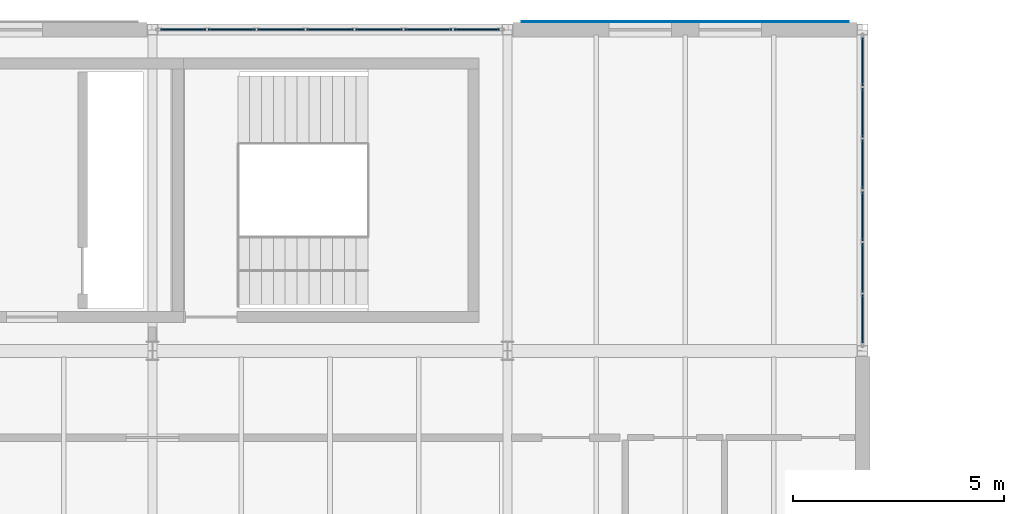
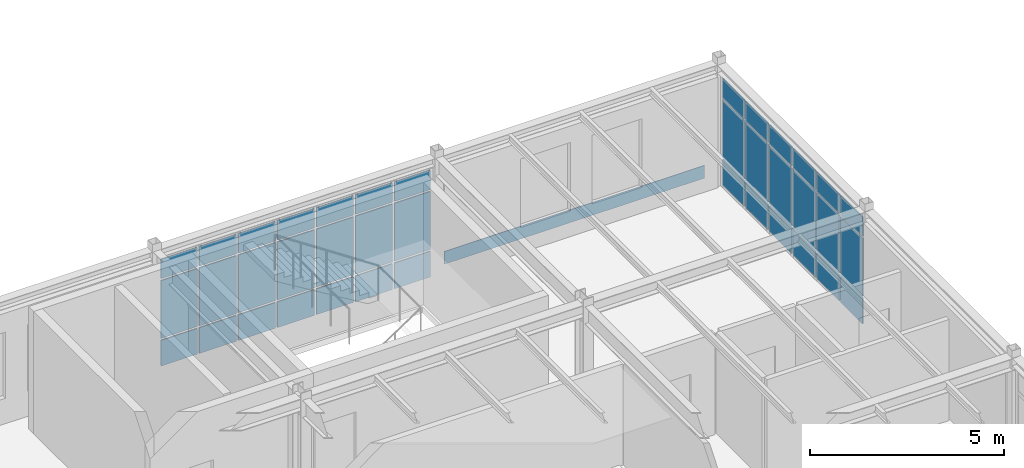
# One storey, part 149 of 189: 40 plates, 2 elements without a shape of their own.
"""IFC4 building model written with IfcOpenShell, lengths in metres."""

from ifc_helpers import new_model, si_unit, direction, frame, origin, origin_2d, place, context, subcontext, project, spatial, rectangle, extrude, material, layer, layer_set, type_object, element, aggregate, save


model = new_model("IFC4")

# Units and contexts
model_context = context("Model", 3, precision=1e-05, world=origin(), true_north=direction((0.0, 1.0)))
body_context = subcontext(model_context, "Body", "Model", "MODEL_VIEW")
ifc_project = project(units=[si_unit("LENGTHUNIT", "METRE"), si_unit("AREAUNIT", "SQUARE_METRE"), si_unit("VOLUMEUNIT", "CUBIC_METRE"), si_unit("PLANEANGLEUNIT", "RADIAN"), si_unit("MASSUNIT", "GRAM", prefix="KILO")], contexts=[model_context])

# Site, building, storey
site_placement = place(None, origin())
site = spatial("IfcSite", under=ifc_project, at=site_placement, CompositionType="ELEMENT")
building_placement = place(site_placement, origin())
building = spatial("IfcBuilding", under=site, at=building_placement, Name="Montecoro Central Library", CompositionType="ELEMENT")
storey_placement = place(building_placement, frame((0.0, 0.0, 9.179931640625)))
storey = spatial("IfcBuildingStorey", under=building, at=storey_placement, Name="L02", CompositionType="ELEMENT", Elevation=9.179931640625)

# Curtain wall, plates
ifc_material_1 = material(Name="Bronze-anodised aluminium and low-E glazing", Category="aluminium")
ifc_layer_1 = layer(ifc_material_1, 0.159912109375)
ifc_layer_set_1 = layer_set([ifc_layer_1], Name="Bronze-anodised aluminium and low-E glazing")
curtain_wall_type_1 = type_object("IfcCurtainWallType", Name="CWT-015", PredefinedType="NOTDEFINED", material=ifc_layer_set_1)
curtain_wall_1_placement = place(storey_placement, origin())
curtain_wall_1 = element("IfcCurtainWall", 1, at=curtain_wall_1_placement, inside=storey, type_object=curtain_wall_type_1, Name="V2-L02-CW-E4", PredefinedType="NOTDEFINED")
ifc_material_2 = material(Name="Laminated low-E double glazing", Category="glass")
ifc_layer_2 = layer(ifc_material_2, 0.033935546875)
ifc_layer_set_2 = layer_set([ifc_layer_2], Name="Laminated low-E double glazing")
plate_type_1 = type_object("IfcPlateType", Name="CWP-GLZ-03", PredefinedType="CURTAIN_PANEL", material=ifc_layer_set_2)
plate_1_placement = place(storey_placement, frame((116.800048828125, 112.1591796875, 0.06005859375), z_axis=(0.0, 0.0, 1.0), x_axis=(0.0, 1.0, 0.0)))
plate_1 = element("IfcPlate", 2, at=plate_1_placement, type_object=plate_type_1, Name="CW-015 panel 1.1", PredefinedType="CURTAIN_PANEL", context=body_context, shape_type="SweptSolid", body=[
    extrude(rectangle(XDim=1.13232421875, YDim=0.033935546875, at=origin_2d()), origin(), (0.0, 0.0, 1.0), 0.81005859375),
])
plate_2_placement = place(storey_placement, frame((116.800048828125, 112.1591796875, 0.93017578125), z_axis=(0.0, 0.0, 1.0), x_axis=(0.0, 1.0, 0.0)))
plate_2 = element("IfcPlate", 3, at=plate_2_placement, type_object=plate_type_1, Name="CW-015 panel 1.2", PredefinedType="CURTAIN_PANEL", context=body_context, shape_type="SweptSolid", body=[
    extrude(rectangle(XDim=1.13232421875, YDim=0.033935546875, at=origin_2d()), origin(), (0.0, 0.0, 1.0), 1.820068359375),
])
plate_3_placement = place(storey_placement, frame((116.800048828125, 112.1591796875, 2.81005859375), z_axis=(0.0, 0.0, 1.0), x_axis=(0.0, 1.0, 0.0)))
plate_3 = element("IfcPlate", 4, at=plate_3_placement, type_object=plate_type_1, Name="CW-015 panel 1.3", PredefinedType="CURTAIN_PANEL", context=body_context, shape_type="SweptSolid", body=[
    extrude(rectangle(XDim=1.13232421875, YDim=0.033935546875, at=origin_2d()), origin(), (0.0, 0.0, 1.0), 0.610107421875),
])
plate_4_placement = place(storey_placement, frame((116.800048828125, 113.366455078125, 0.06005859375), z_axis=(0.0, 0.0, 1.0), x_axis=(0.0, 1.0, 0.0)))
plate_4 = element("IfcPlate", 5, at=plate_4_placement, type_object=plate_type_1, Name="CW-015 panel 2.1", PredefinedType="CURTAIN_PANEL", context=body_context, shape_type="SweptSolid", body=[
    extrude(rectangle(XDim=1.162353515625, YDim=0.033935546875, at=origin_2d()), origin(), (0.0, 0.0, 1.0), 0.81005859375),
])
plate_5_placement = place(storey_placement, frame((116.800048828125, 113.366455078125, 0.93017578125), z_axis=(0.0, 0.0, 1.0), x_axis=(0.0, 1.0, 0.0)))
plate_5 = element("IfcPlate", 6, at=plate_5_placement, type_object=plate_type_1, Name="CW-015 panel 2.2", PredefinedType="CURTAIN_PANEL", context=body_context, shape_type="SweptSolid", body=[
    extrude(rectangle(XDim=1.162353515625, YDim=0.033935546875, at=origin_2d()), origin(), (0.0, 0.0, 1.0), 1.820068359375),
])
plate_6_placement = place(storey_placement, frame((116.800048828125, 113.366455078125, 2.81005859375), z_axis=(0.0, 0.0, 1.0), x_axis=(0.0, 1.0, 0.0)))
plate_6 = element("IfcPlate", 7, at=plate_6_placement, type_object=plate_type_1, Name="CW-015 panel 2.3", PredefinedType="CURTAIN_PANEL", context=body_context, shape_type="SweptSolid", body=[
    extrude(rectangle(XDim=1.162353515625, YDim=0.033935546875, at=origin_2d()), origin(), (0.0, 0.0, 1.0), 0.610107421875),
])
plate_7_placement = place(storey_placement, frame((116.800048828125, 114.5888671875, 0.06005859375), z_axis=(0.0, 0.0, 1.0), x_axis=(0.0, 1.0, 0.0)))
plate_7 = element("IfcPlate", 8, at=plate_7_placement, type_object=plate_type_1, Name="CW-015 panel 3.1", PredefinedType="CURTAIN_PANEL", context=body_context, shape_type="SweptSolid", body=[
    extrude(rectangle(XDim=1.162353515625, YDim=0.033935546875, at=origin_2d()), origin(), (0.0, 0.0, 1.0), 0.81005859375),
])
plate_8_placement = place(storey_placement, frame((116.800048828125, 114.5888671875, 0.93017578125), z_axis=(0.0, 0.0, 1.0), x_axis=(0.0, 1.0, 0.0)))
plate_8 = element("IfcPlate", 9, at=plate_8_placement, type_object=plate_type_1, Name="CW-015 panel 3.2", PredefinedType="CURTAIN_PANEL", context=body_context, shape_type="SweptSolid", body=[
    extrude(rectangle(XDim=1.162353515625, YDim=0.033935546875, at=origin_2d()), origin(), (0.0, 0.0, 1.0), 1.820068359375),
])
plate_9_placement = place(storey_placement, frame((116.800048828125, 114.5888671875, 2.81005859375), z_axis=(0.0, 0.0, 1.0), x_axis=(0.0, 1.0, 0.0)))
plate_9 = element("IfcPlate", 10, at=plate_9_placement, type_object=plate_type_1, Name="CW-015 panel 3.3", PredefinedType="CURTAIN_PANEL", context=body_context, shape_type="SweptSolid", body=[
    extrude(rectangle(XDim=1.162353515625, YDim=0.033935546875, at=origin_2d()), origin(), (0.0, 0.0, 1.0), 0.610107421875),
])
plate_10_placement = place(storey_placement, frame((116.800048828125, 115.811279296875, 0.06005859375), z_axis=(0.0, 0.0, 1.0), x_axis=(0.0, 1.0, 0.0)))
plate_10 = element("IfcPlate", 11, at=plate_10_placement, type_object=plate_type_1, Name="CW-015 panel 4.1", PredefinedType="CURTAIN_PANEL", context=body_context, shape_type="SweptSolid", body=[
    extrude(rectangle(XDim=1.162353515625, YDim=0.033935546875, at=origin_2d()), origin(), (0.0, 0.0, 1.0), 0.81005859375),
])
plate_11_placement = place(storey_placement, frame((116.800048828125, 115.811279296875, 0.93017578125), z_axis=(0.0, 0.0, 1.0), x_axis=(0.0, 1.0, 0.0)))
plate_11 = element("IfcPlate", 12, at=plate_11_placement, type_object=plate_type_1, Name="CW-015 panel 4.2", PredefinedType="CURTAIN_PANEL", context=body_context, shape_type="SweptSolid", body=[
    extrude(rectangle(XDim=1.162353515625, YDim=0.033935546875, at=origin_2d()), origin(), (0.0, 0.0, 1.0), 1.820068359375),
])
plate_12_placement = place(storey_placement, frame((116.800048828125, 115.811279296875, 2.81005859375), z_axis=(0.0, 0.0, 1.0), x_axis=(0.0, 1.0, 0.0)))
plate_12 = element("IfcPlate", 13, at=plate_12_placement, type_object=plate_type_1, Name="CW-015 panel 4.3", PredefinedType="CURTAIN_PANEL", context=body_context, shape_type="SweptSolid", body=[
    extrude(rectangle(XDim=1.162353515625, YDim=0.033935546875, at=origin_2d()), origin(), (0.0, 0.0, 1.0), 0.610107421875),
])
plate_13_placement = place(storey_placement, frame((116.800048828125, 117.033447265625, 0.06005859375), z_axis=(0.0, 0.0, 1.0), x_axis=(0.0, 1.0, 0.0)))
plate_13 = element("IfcPlate", 14, at=plate_13_placement, type_object=plate_type_1, Name="CW-015 panel 5.1", PredefinedType="CURTAIN_PANEL", context=body_context, shape_type="SweptSolid", body=[
    extrude(rectangle(XDim=1.162353515625, YDim=0.033935546875, at=origin_2d()), origin(), (0.0, 0.0, 1.0), 0.81005859375),
])
plate_14_placement = place(storey_placement, frame((116.800048828125, 117.033447265625, 0.93017578125), z_axis=(0.0, 0.0, 1.0), x_axis=(0.0, 1.0, 0.0)))
plate_14 = element("IfcPlate", 15, at=plate_14_placement, type_object=plate_type_1, Name="CW-015 panel 5.2", PredefinedType="CURTAIN_PANEL", context=body_context, shape_type="SweptSolid", body=[
    extrude(rectangle(XDim=1.162353515625, YDim=0.033935546875, at=origin_2d()), origin(), (0.0, 0.0, 1.0), 1.820068359375),
])
plate_15_placement = place(storey_placement, frame((116.800048828125, 117.033447265625, 2.81005859375), z_axis=(0.0, 0.0, 1.0), x_axis=(0.0, 1.0, 0.0)))
plate_15 = element("IfcPlate", 16, at=plate_15_placement, type_object=plate_type_1, Name="CW-015 panel 5.3", PredefinedType="CURTAIN_PANEL", context=body_context, shape_type="SweptSolid", body=[
    extrude(rectangle(XDim=1.162353515625, YDim=0.033935546875, at=origin_2d()), origin(), (0.0, 0.0, 1.0), 0.610107421875),
])
plate_16_placement = place(storey_placement, frame((116.800048828125, 118.24072265625, 0.06005859375), z_axis=(0.0, 0.0, 1.0), x_axis=(0.0, 1.0, 0.0)))
plate_16 = element("IfcPlate", 17, at=plate_16_placement, type_object=plate_type_1, Name="CW-015 panel 6.1", PredefinedType="CURTAIN_PANEL", context=body_context, shape_type="SweptSolid", body=[
    extrude(rectangle(XDim=1.13232421875, YDim=0.033935546875, at=origin_2d()), origin(), (0.0, 0.0, 1.0), 0.81005859375),
])
plate_17_placement = place(storey_placement, frame((116.800048828125, 118.24072265625, 0.93017578125), z_axis=(0.0, 0.0, 1.0), x_axis=(0.0, 1.0, 0.0)))
plate_17 = element("IfcPlate", 18, at=plate_17_placement, type_object=plate_type_1, Name="CW-015 panel 6.2", PredefinedType="CURTAIN_PANEL", context=body_context, shape_type="SweptSolid", body=[
    extrude(rectangle(XDim=1.13232421875, YDim=0.033935546875, at=origin_2d()), origin(), (0.0, 0.0, 1.0), 1.820068359375),
])
plate_18_placement = place(storey_placement, frame((116.800048828125, 118.24072265625, 2.81005859375), z_axis=(0.0, 0.0, 1.0), x_axis=(0.0, 1.0, 0.0)))
plate_18 = element("IfcPlate", 19, at=plate_18_placement, type_object=plate_type_1, Name="CW-015 panel 6.3", PredefinedType="CURTAIN_PANEL", context=body_context, shape_type="SweptSolid", body=[
    extrude(rectangle(XDim=1.13232421875, YDim=0.033935546875, at=origin_2d()), origin(), (0.0, 0.0, 1.0), 0.610107421875),
])
aggregate(curtain_wall_1, [plate_1, plate_2, plate_3, plate_4, plate_5, plate_6, plate_7, plate_8, plate_9, plate_10, plate_11, plate_12, plate_13, plate_14, plate_15, plate_16, plate_17, plate_18])

ifc_layer_3 = layer(ifc_material_1, 0.159912109375)
ifc_layer_set_3 = layer_set([ifc_layer_3], Name="Bronze-anodised aluminium and low-E glazing")
curtain_wall_type_2 = type_object("IfcCurtainWallType", Name="CWT-016", PredefinedType="NOTDEFINED", material=ifc_layer_set_3)
curtain_wall_2_placement = place(storey_placement, origin())
curtain_wall_2 = element("IfcCurtainWall", 20, at=curtain_wall_2_placement, inside=storey, type_object=curtain_wall_type_2, Name="V2-L02-CW-N4", PredefinedType="NOTDEFINED")
plate_19_placement = place(storey_placement, frame((107.6708984375, 119.0, 0.06005859375), z_axis=(0.0, 0.0, 1.0), x_axis=(-1.0, 0.0, 0.0)))
plate_19 = element("IfcPlate", 21, at=plate_19_placement, type_object=plate_type_1, Name="CW-016 panel 1.1", PredefinedType="CURTAIN_PANEL", context=body_context, shape_type="SweptSolid", body=[
    extrude(rectangle(XDim=1.072021484375, YDim=0.033935546875, at=origin_2d()), origin(), (0.0, 0.0, 1.0), 0.81005859375),
])
plate_20_placement = place(storey_placement, frame((107.6708984375, 119.0, 0.93017578125), z_axis=(0.0, 0.0, 1.0), x_axis=(-1.0, 0.0, 0.0)))
plate_20 = element("IfcPlate", 22, at=plate_20_placement, type_object=plate_type_1, Name="CW-016 panel 1.2", PredefinedType="CURTAIN_PANEL", context=body_context, shape_type="SweptSolid", body=[
    extrude(rectangle(XDim=1.072021484375, YDim=0.033935546875, at=origin_2d()), origin(), (0.0, 0.0, 1.0), 1.820068359375),
])
plate_21_placement = place(storey_placement, frame((107.6708984375, 119.0, 2.81005859375), z_axis=(0.0, 0.0, 1.0), x_axis=(-1.0, 0.0, 0.0)))
plate_21 = element("IfcPlate", 23, at=plate_21_placement, type_object=plate_type_1, Name="CW-016 panel 1.3", PredefinedType="CURTAIN_PANEL", context=body_context, shape_type="SweptSolid", body=[
    extrude(rectangle(XDim=1.072021484375, YDim=0.033935546875, at=origin_2d()), origin(), (0.0, 0.0, 1.0), 0.610107421875),
])
plate_22_placement = place(storey_placement, frame((106.52392578125, 119.0, 0.06005859375), z_axis=(0.0, 0.0, 1.0), x_axis=(-1.0, 0.0, 0.0)))
plate_22 = element("IfcPlate", 24, at=plate_22_placement, type_object=plate_type_1, Name="CW-016 panel 2.1", PredefinedType="CURTAIN_PANEL", context=body_context, shape_type="SweptSolid", body=[
    extrude(rectangle(XDim=1.10205078125, YDim=0.033935546875, at=origin_2d()), origin(), (0.0, 0.0, 1.0), 0.81005859375),
])
plate_23_placement = place(storey_placement, frame((106.52392578125, 119.0, 0.93017578125), z_axis=(0.0, 0.0, 1.0), x_axis=(-1.0, 0.0, 0.0)))
plate_23 = element("IfcPlate", 25, at=plate_23_placement, type_object=plate_type_1, Name="CW-016 panel 2.2", PredefinedType="CURTAIN_PANEL", context=body_context, shape_type="SweptSolid", body=[
    extrude(rectangle(XDim=1.10205078125, YDim=0.033935546875, at=origin_2d()), origin(), (0.0, 0.0, 1.0), 1.820068359375),
])
plate_24_placement = place(storey_placement, frame((106.52392578125, 119.0, 2.81005859375), z_axis=(0.0, 0.0, 1.0), x_axis=(-1.0, 0.0, 0.0)))
plate_24 = element("IfcPlate", 26, at=plate_24_placement, type_object=plate_type_1, Name="CW-016 panel 2.3", PredefinedType="CURTAIN_PANEL", context=body_context, shape_type="SweptSolid", body=[
    extrude(rectangle(XDim=1.10205078125, YDim=0.033935546875, at=origin_2d()), origin(), (0.0, 0.0, 1.0), 0.610107421875),
])
plate_25_placement = place(storey_placement, frame((105.362060546875, 119.0, 0.06005859375), z_axis=(0.0, 0.0, 1.0), x_axis=(-1.0, 0.0, 0.0)))
plate_25 = element("IfcPlate", 27, at=plate_25_placement, type_object=plate_type_1, Name="CW-016 panel 3.1", PredefinedType="CURTAIN_PANEL", context=body_context, shape_type="SweptSolid", body=[
    extrude(rectangle(XDim=1.10205078125, YDim=0.033935546875, at=origin_2d()), origin(), (0.0, 0.0, 1.0), 0.81005859375),
])
plate_26_placement = place(storey_placement, frame((105.362060546875, 119.0, 0.93017578125), z_axis=(0.0, 0.0, 1.0), x_axis=(-1.0, 0.0, 0.0)))
plate_26 = element("IfcPlate", 28, at=plate_26_placement, type_object=plate_type_1, Name="CW-016 panel 3.2", PredefinedType="CURTAIN_PANEL", context=body_context, shape_type="SweptSolid", body=[
    extrude(rectangle(XDim=1.10205078125, YDim=0.033935546875, at=origin_2d()), origin(), (0.0, 0.0, 1.0), 1.820068359375),
])
plate_27_placement = place(storey_placement, frame((105.362060546875, 119.0, 2.81005859375), z_axis=(0.0, 0.0, 1.0), x_axis=(-1.0, 0.0, 0.0)))
plate_27 = element("IfcPlate", 29, at=plate_27_placement, type_object=plate_type_1, Name="CW-016 panel 3.3", PredefinedType="CURTAIN_PANEL", context=body_context, shape_type="SweptSolid", body=[
    extrude(rectangle(XDim=1.10205078125, YDim=0.033935546875, at=origin_2d()), origin(), (0.0, 0.0, 1.0), 0.610107421875),
])
plate_28_placement = place(storey_placement, frame((104.199951171875, 119.0, 0.06005859375), z_axis=(0.0, 0.0, 1.0), x_axis=(-1.0, 0.0, 0.0)))
plate_28 = element("IfcPlate", 30, at=plate_28_placement, type_object=plate_type_1, Name="CW-016 panel 4.1", PredefinedType="CURTAIN_PANEL", context=body_context, shape_type="SweptSolid", body=[
    extrude(rectangle(XDim=1.10205078125, YDim=0.033935546875, at=origin_2d()), origin(), (0.0, 0.0, 1.0), 0.81005859375),
])
plate_29_placement = place(storey_placement, frame((104.199951171875, 119.0, 0.93017578125), z_axis=(0.0, 0.0, 1.0), x_axis=(-1.0, 0.0, 0.0)))
plate_29 = element("IfcPlate", 31, at=plate_29_placement, type_object=plate_type_1, Name="CW-016 panel 4.2", PredefinedType="CURTAIN_PANEL", context=body_context, shape_type="SweptSolid", body=[
    extrude(rectangle(XDim=1.10205078125, YDim=0.033935546875, at=origin_2d()), origin(), (0.0, 0.0, 1.0), 1.820068359375),
])
plate_30_placement = place(storey_placement, frame((104.199951171875, 119.0, 2.81005859375), z_axis=(0.0, 0.0, 1.0), x_axis=(-1.0, 0.0, 0.0)))
plate_30 = element("IfcPlate", 32, at=plate_30_placement, type_object=plate_type_1, Name="CW-016 panel 4.3", PredefinedType="CURTAIN_PANEL", context=body_context, shape_type="SweptSolid", body=[
    extrude(rectangle(XDim=1.10205078125, YDim=0.033935546875, at=origin_2d()), origin(), (0.0, 0.0, 1.0), 0.610107421875),
])
plate_31_placement = place(storey_placement, frame((103.0380859375, 119.0, 0.06005859375), z_axis=(0.0, 0.0, 1.0), x_axis=(-1.0, 0.0, 0.0)))
plate_31 = element("IfcPlate", 33, at=plate_31_placement, type_object=plate_type_1, Name="CW-016 panel 5.1", PredefinedType="CURTAIN_PANEL", context=body_context, shape_type="SweptSolid", body=[
    extrude(rectangle(XDim=1.10205078125, YDim=0.033935546875, at=origin_2d()), origin(), (0.0, 0.0, 1.0), 0.81005859375),
])
plate_32_placement = place(storey_placement, frame((103.0380859375, 119.0, 0.93017578125), z_axis=(0.0, 0.0, 1.0), x_axis=(-1.0, 0.0, 0.0)))
plate_32 = element("IfcPlate", 34, at=plate_32_placement, type_object=plate_type_1, Name="CW-016 panel 5.2", PredefinedType="CURTAIN_PANEL", context=body_context, shape_type="SweptSolid", body=[
    extrude(rectangle(XDim=1.10205078125, YDim=0.033935546875, at=origin_2d()), origin(), (0.0, 0.0, 1.0), 1.820068359375),
])
plate_33_placement = place(storey_placement, frame((103.0380859375, 119.0, 2.81005859375), z_axis=(0.0, 0.0, 1.0), x_axis=(-1.0, 0.0, 0.0)))
plate_33 = element("IfcPlate", 35, at=plate_33_placement, type_object=plate_type_1, Name="CW-016 panel 5.3", PredefinedType="CURTAIN_PANEL", context=body_context, shape_type="SweptSolid", body=[
    extrude(rectangle(XDim=1.10205078125, YDim=0.033935546875, at=origin_2d()), origin(), (0.0, 0.0, 1.0), 0.610107421875),
])
plate_34_placement = place(storey_placement, frame((101.8759765625, 119.0, 0.06005859375), z_axis=(0.0, 0.0, 1.0), x_axis=(-1.0, 0.0, 0.0)))
plate_34 = element("IfcPlate", 36, at=plate_34_placement, type_object=plate_type_1, Name="CW-016 panel 6.1", PredefinedType="CURTAIN_PANEL", context=body_context, shape_type="SweptSolid", body=[
    extrude(rectangle(XDim=1.10205078125, YDim=0.033935546875, at=origin_2d()), origin(), (0.0, 0.0, 1.0), 0.81005859375),
])
plate_35_placement = place(storey_placement, frame((101.8759765625, 119.0, 0.93017578125), z_axis=(0.0, 0.0, 1.0), x_axis=(-1.0, 0.0, 0.0)))
plate_35 = element("IfcPlate", 37, at=plate_35_placement, type_object=plate_type_1, Name="CW-016 panel 6.2", PredefinedType="CURTAIN_PANEL", context=body_context, shape_type="SweptSolid", body=[
    extrude(rectangle(XDim=1.10205078125, YDim=0.033935546875, at=origin_2d()), origin(), (0.0, 0.0, 1.0), 1.820068359375),
])
plate_36_placement = place(storey_placement, frame((101.8759765625, 119.0, 2.81005859375), z_axis=(0.0, 0.0, 1.0), x_axis=(-1.0, 0.0, 0.0)))
plate_36 = element("IfcPlate", 38, at=plate_36_placement, type_object=plate_type_1, Name="CW-016 panel 6.3", PredefinedType="CURTAIN_PANEL", context=body_context, shape_type="SweptSolid", body=[
    extrude(rectangle(XDim=1.10205078125, YDim=0.033935546875, at=origin_2d()), origin(), (0.0, 0.0, 1.0), 0.610107421875),
])
plate_37_placement = place(storey_placement, frame((100.72900390625, 119.0, 0.06005859375), z_axis=(0.0, 0.0, 1.0), x_axis=(-1.0, 0.0, 0.0)))
plate_37 = element("IfcPlate", 39, at=plate_37_placement, type_object=plate_type_1, Name="CW-016 panel 7.1", PredefinedType="CURTAIN_PANEL", context=body_context, shape_type="SweptSolid", body=[
    extrude(rectangle(XDim=1.072021484375, YDim=0.033935546875, at=origin_2d()), origin(), (0.0, 0.0, 1.0), 0.81005859375),
])
plate_38_placement = place(storey_placement, frame((100.72900390625, 119.0, 0.93017578125), z_axis=(0.0, 0.0, 1.0), x_axis=(-1.0, 0.0, 0.0)))
plate_38 = element("IfcPlate", 40, at=plate_38_placement, type_object=plate_type_1, Name="CW-016 panel 7.2", PredefinedType="CURTAIN_PANEL", context=body_context, shape_type="SweptSolid", body=[
    extrude(rectangle(XDim=1.072021484375, YDim=0.033935546875, at=origin_2d()), origin(), (0.0, 0.0, 1.0), 1.820068359375),
])
plate_39_placement = place(storey_placement, frame((100.72900390625, 119.0, 2.81005859375), z_axis=(0.0, 0.0, 1.0), x_axis=(-1.0, 0.0, 0.0)))
plate_39 = element("IfcPlate", 41, at=plate_39_placement, type_object=plate_type_1, Name="CW-016 panel 7.3", PredefinedType="CURTAIN_PANEL", context=body_context, shape_type="SweptSolid", body=[
    extrude(rectangle(XDim=1.072021484375, YDim=0.033935546875, at=origin_2d()), origin(), (0.0, 0.0, 1.0), 0.610107421875),
])
aggregate(curtain_wall_2, [plate_19, plate_20, plate_21, plate_22, plate_23, plate_24, plate_25, plate_26, plate_27, plate_28, plate_29, plate_30, plate_31, plate_32, plate_33, plate_34, plate_35, plate_36, plate_37, plate_38, plate_39])

# Plate
ifc_material_3 = material(Name="Architectural bronze spandrel plate", Category="aluminium")
ifc_layer_4 = layer(ifc_material_3, 0.02197265625)
ifc_layer_set_4 = layer_set([ifc_layer_4], Name="Architectural bronze spandrel plate")
plate_type_2 = type_object("IfcPlateType", Name="PLT-SPN-01", PredefinedType="SHEET", material=ifc_layer_set_4)
plate_40_placement = place(storey_placement, frame((112.60009765625, 119.18359375, 0.16015625), z_axis=(0.0, 0.0, 1.0), x_axis=(-1.0, 0.0, 0.0)))
element("IfcPlate", 42, at=plate_40_placement, inside=storey, type_object=plate_type_2, Name="V2-L02-SPN-N5", PredefinedType="SHEET", context=body_context, shape_type="SweptSolid", body=[
    extrude(rectangle(XDim=7.73388671875, YDim=0.02197265625, at=origin_2d()), origin(), (0.0, 0.0, 1.0), 0.39990234375),
])

save(model, "model.ifc")
